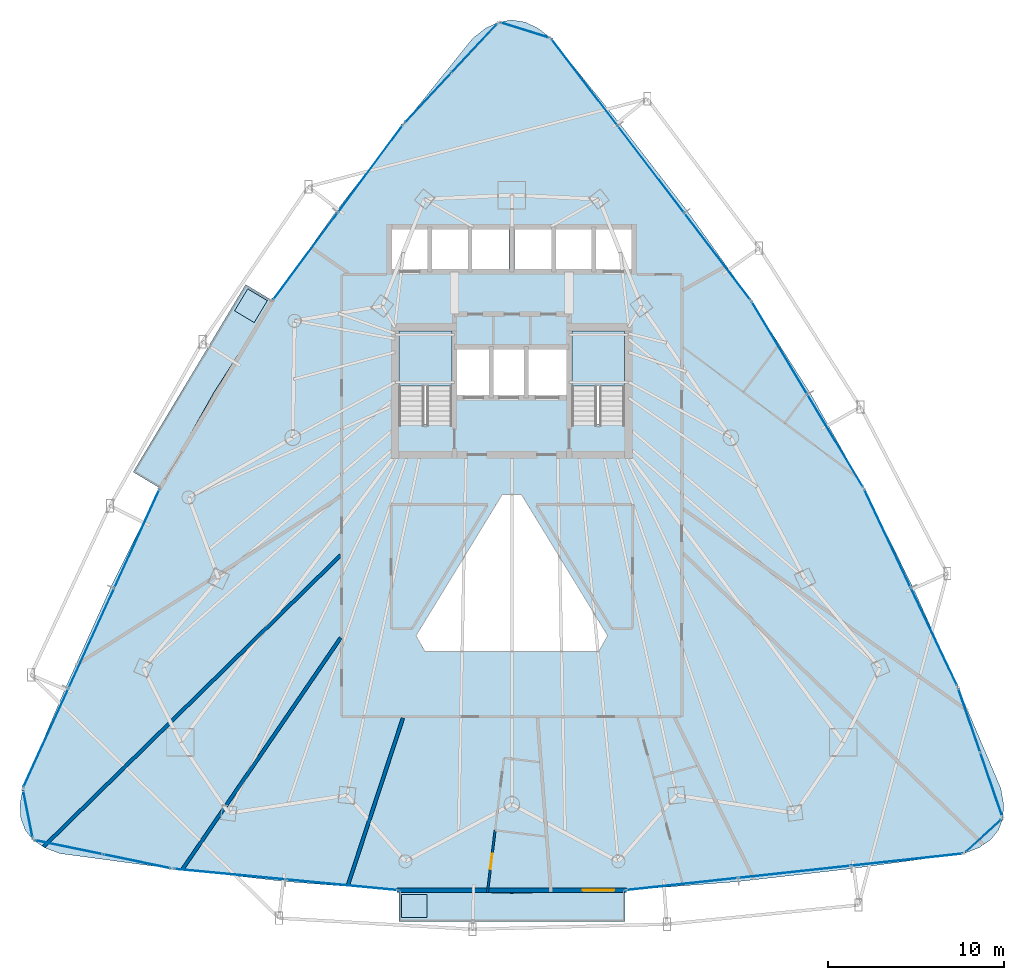
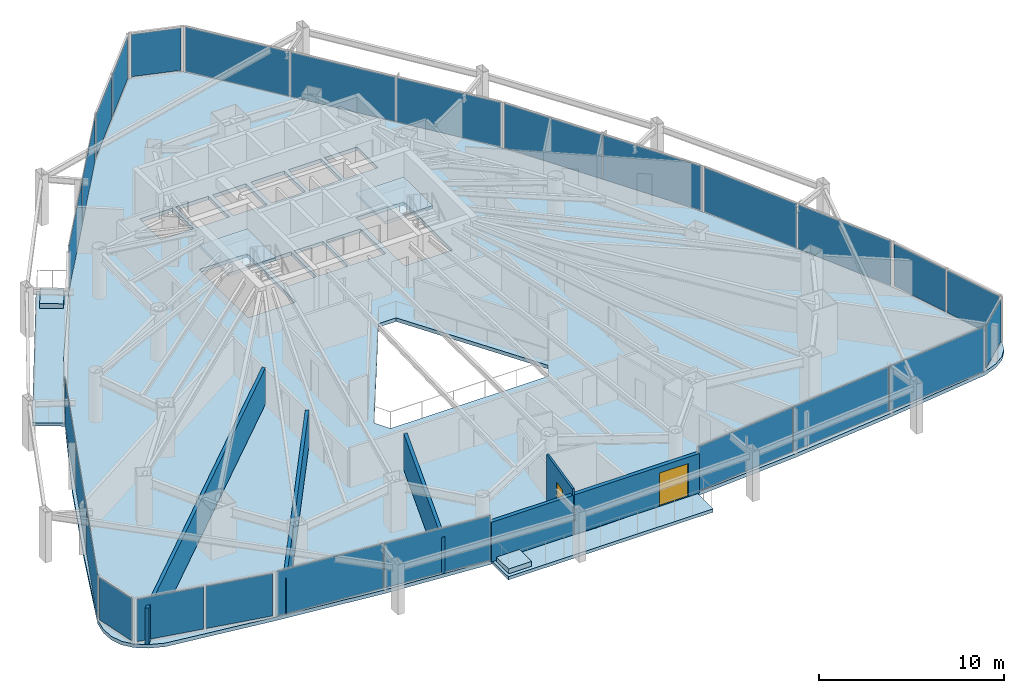
# One storey, part 28 of 34: 26 plates, 7 slabs, 5 walls, 2 doors, 2 openings, 15 elements without a shape of their own.
"""IFC4 building model written with IfcOpenShell, lengths in metres."""

from ifc_helpers import new_model, si_unit, direction, frame, frame_2d, origin, origin_2d, place, context, subcontext, project, spatial, polyline, rectangle, outline, extrude, material, layer, layer_set, type_object, element, fill, aggregate, save


model = new_model("IFC4")

# Units and contexts
model_context = context("Model", 3, precision=1e-05, world=origin(), true_north=direction((0.0, 1.0)))
body_context = subcontext(model_context, "Body", "Model", "MODEL_VIEW")
ifc_project = project(units=[si_unit("LENGTHUNIT", "METRE"), si_unit("AREAUNIT", "SQUARE_METRE"), si_unit("VOLUMEUNIT", "CUBIC_METRE"), si_unit("PLANEANGLEUNIT", "RADIAN"), si_unit("MASSUNIT", "GRAM", prefix="KILO")], contexts=[model_context])

# Site, building, storey
site_placement = place(None, origin())
site = spatial("IfcSite", under=ifc_project, at=site_placement, CompositionType="ELEMENT")
building_placement = place(site_placement, origin())
building = spatial("IfcBuilding", under=site, at=building_placement, Name="Orvanel Arch Residences", CompositionType="ELEMENT")
storey_placement = place(building_placement, frame((0.0, 0.0, 64.25)))
storey = spatial("IfcBuildingStorey", under=building, at=storey_placement, Name="L17", CompositionType="ELEMENT", Elevation=64.25)

# Curtain wall, plates
ifc_material_1 = material(Name="Bronze-anodised aluminium AA6063-T6", Category="aluminium")
ifc_layer_1 = layer(ifc_material_1, 0.179931640625)
ifc_layer_set_1 = layer_set([ifc_layer_1], Name="Bronze-anodised aluminium AA6063-T6")
curtain_wall_type_1 = type_object("IfcCurtainWallType", Name="CW2-LOW-SYS", PredefinedType="NOTDEFINED", material=ifc_layer_set_1)
curtain_wall_1_placement = place(storey_placement, origin())
curtain_wall_1 = element("IfcCurtainWall", 1, at=curtain_wall_1_placement, inside=storey, type_object=curtain_wall_type_1, Name="L17 CW2-LOW-SYS Unitised Curtain Wall", PredefinedType="NOTDEFINED")
ifc_material_2 = material(Name="Double-glazed solar-control low-E safety glass", Category="glass")
ifc_layer_2 = layer(ifc_material_2, 0.028076171875)
ifc_layer_set_2 = layer_set([ifc_layer_2], Name="Double-glazed solar-control low-E safety glass")
plate_type_1 = type_object("IfcPlateType", Name="PNL-GLZ-28", PredefinedType="CURTAIN_PANEL", material=ifc_layer_set_2)
plate_1_placement = place(storey_placement, frame((24.97900390625, 42.90234375, 0.06005859375), z_axis=(0.0, 0.0, 1.0), x_axis=(-0.596000950722, -0.802983727568, 0.0)))
plate_1 = element("IfcPlate", 2, at=plate_1_placement, type_object=plate_type_1, Name="CW-S2 panel 1.1", PredefinedType="CURTAIN_PANEL", context=body_context, shape_type="SweptSolid", body=[
    extrude(rectangle(XDim=6.108154296875, YDim=0.028076171875, at=origin_2d()), origin(), (0.0, 0.0, 1.0), 2.93994140625),
])
plate_2_placement = place(storey_placement, frame((21.296875, 37.941650390625, 0.06005859375), z_axis=(0.0, 0.0, 1.0), x_axis=(-0.596000950722, -0.802983727568, 0.0)))
plate_2 = element("IfcPlate", 3, at=plate_2_placement, type_object=plate_type_1, Name="CW-S2 panel 2.1", PredefinedType="CURTAIN_PANEL", context=body_context, shape_type="SweptSolid", body=[
    extrude(rectangle(XDim=6.108154296875, YDim=0.028076171875, at=origin_2d()), origin(), (0.0, 0.0, 1.0), 2.93994140625),
])
aggregate(curtain_wall_1, [plate_1, plate_2])

curtain_wall_2_placement = place(storey_placement, origin())
curtain_wall_2 = element("IfcCurtainWall", 4, at=curtain_wall_2_placement, inside=storey, type_object=curtain_wall_type_1, Name="L17 CW2-LOW-SYS Unitised Curtain Wall", PredefinedType="NOTDEFINED")
plate_3_placement = place(storey_placement, frame((11.73095703125, 21.910400390625, 0.06005859375), z_axis=(0.0, 0.0, 1.0), x_axis=(-0.415688938305, -0.909506848006, 0.0)))
plate_3 = element("IfcPlate", 5, at=plate_3_placement, type_object=plate_type_1, Name="CW-S2 panel 1.1", PredefinedType="CURTAIN_PANEL", context=body_context, shape_type="SweptSolid", body=[
    extrude(rectangle(XDim=6.1240234375, YDim=0.028076171875, at=origin_2d()), origin(), (0.0, 0.0, 1.0), 2.93994140625),
])
plate_4_placement = place(storey_placement, frame((9.14892578125, 16.260986328125, 0.06005859375), z_axis=(0.0, 0.0, 1.0), x_axis=(-0.415688938305, -0.909506848006, 0.0)))
plate_4 = element("IfcPlate", 6, at=plate_4_placement, type_object=plate_type_1, Name="CW-S2 panel 2.1", PredefinedType="CURTAIN_PANEL", context=body_context, shape_type="SweptSolid", body=[
    extrude(rectangle(XDim=6.158935546875, YDim=0.028076171875, at=origin_2d()), origin(), (0.0, 0.0, 1.0), 2.93994140625),
])
plate_5_placement = place(storey_placement, frame((6.56689453125, 10.611572265625, 0.06005859375), z_axis=(0.0, 0.0, 1.0), x_axis=(-0.415688938305, -0.909506848006, 0.0)))
plate_5 = element("IfcPlate", 7, at=plate_5_placement, type_object=plate_type_1, Name="CW-S2 panel 3.1", PredefinedType="CURTAIN_PANEL", context=body_context, shape_type="SweptSolid", body=[
    extrude(rectangle(XDim=6.1240234375, YDim=0.028076171875, at=origin_2d()), origin(), (0.0, 0.0, 1.0), 2.93994140625),
])
aggregate(curtain_wall_2, [plate_3, plate_4, plate_5])

curtain_wall_3_placement = place(storey_placement, origin())
curtain_wall_3 = element("IfcCurtainWall", 8, at=curtain_wall_3_placement, inside=storey, type_object=curtain_wall_type_1, Name="L17 CW2-LOW-SYS Unitised Curtain Wall", PredefinedType="NOTDEFINED")
plate_6_placement = place(storey_placement, frame((16.994873046875, 2.8798828125, 0.06005859375), z_axis=(0.0, 0.0, 1.0), x_axis=(0.995493372806, -0.094831137816, 0.0)))
plate_6 = element("IfcPlate", 9, at=plate_6_placement, type_object=plate_type_1, Name="CW-S2 panel 1.1", PredefinedType="CURTAIN_PANEL", context=body_context, shape_type="SweptSolid", body=[
    extrude(rectangle(XDim=6.31689453125, YDim=0.028076171875, at=origin_2d()), origin(), (0.0, 0.0, 1.0), 2.93994140625),
])
plate_7_placement = place(storey_placement, frame((23.35302734375, 2.274169921875, 0.06005859375), z_axis=(0.0, 0.0, 1.0), x_axis=(0.995493372806, -0.094831137816, 0.0)))
plate_7 = element("IfcPlate", 10, at=plate_7_placement, type_object=plate_type_1, Name="CW-S2 panel 2.1", PredefinedType="CURTAIN_PANEL", context=body_context, shape_type="SweptSolid", body=[
    extrude(rectangle(XDim=6.31689453125, YDim=0.028076171875, at=origin_2d()), origin(), (0.0, 0.0, 1.0), 2.93994140625),
])
aggregate(curtain_wall_3, [plate_6, plate_7])

curtain_wall_4_placement = place(storey_placement, origin())
curtain_wall_4 = element("IfcCurtainWall", 11, at=curtain_wall_4_placement, inside=storey, type_object=curtain_wall_type_1, Name="L17 CW2-LOW-SYS Unitised Curtain Wall", PredefinedType="NOTDEFINED")
plate_8_placement = place(storey_placement, frame((42.650146484375, 2.31689453125, 0.06005859375), z_axis=(0.0, 0.0, 1.0), x_axis=(0.994171399622, 0.107811076303, 0.0)))
plate_8 = element("IfcPlate", 12, at=plate_8_placement, type_object=plate_type_1, Name="CW-S2 panel 1.1", PredefinedType="CURTAIN_PANEL", context=body_context, shape_type="SweptSolid", body=[
    extrude(rectangle(XDim=6.332275390625, YDim=0.028076171875, at=origin_2d()), origin(), (0.0, 0.0, 1.0), 2.93994140625),
])
plate_9_placement = place(storey_placement, frame((49.032470703125, 3.009033203125, 0.06005859375), z_axis=(0.0, 0.0, 1.0), x_axis=(0.994171399622, 0.107811076303, 0.0)))
plate_9 = element("IfcPlate", 13, at=plate_9_placement, type_object=plate_type_1, Name="CW-S2 panel 2.1", PredefinedType="CURTAIN_PANEL", context=body_context, shape_type="SweptSolid", body=[
    extrude(rectangle(XDim=6.3671875, YDim=0.028076171875, at=origin_2d()), origin(), (0.0, 0.0, 1.0), 2.93994140625),
])
plate_10_placement = place(storey_placement, frame((55.414794921875, 3.701171875, 0.06005859375), z_axis=(0.0, 0.0, 1.0), x_axis=(0.994171399622, 0.107811076303, 0.0)))
plate_10 = element("IfcPlate", 14, at=plate_10_placement, type_object=plate_type_1, Name="CW-S2 panel 3.1", PredefinedType="CURTAIN_PANEL", context=body_context, shape_type="SweptSolid", body=[
    extrude(rectangle(XDim=6.332275390625, YDim=0.028076171875, at=origin_2d()), origin(), (0.0, 0.0, 1.0), 2.93994140625),
])
aggregate(curtain_wall_4, [plate_8, plate_9, plate_10])

curtain_wall_5_placement = place(storey_placement, origin())
curtain_wall_5 = element("IfcCurtainWall", 15, at=curtain_wall_5_placement, inside=storey, type_object=curtain_wall_type_1, Name="L17 CW2-LOW-SYS Unitised Curtain Wall", PredefinedType="NOTDEFINED")
plate_11_placement = place(storey_placement, frame((56.947509765625, 16.350830078125, 0.06005859375), z_axis=(0.0, 0.0, 1.0), x_axis=(-0.427795745036, 0.903875434189, 0.0)))
plate_11 = element("IfcPlate", 16, at=plate_11_placement, type_object=plate_type_1, Name="CW-S2 panel 1.1", PredefinedType="CURTAIN_PANEL", context=body_context, shape_type="SweptSolid", body=[
    extrude(rectangle(XDim=6.108154296875, YDim=0.028076171875, at=origin_2d()), origin(), (0.0, 0.0, 1.0), 2.93994140625),
])
plate_12_placement = place(storey_placement, frame((54.304443359375, 21.935302734375, 0.06005859375), z_axis=(0.0, 0.0, 1.0), x_axis=(-0.427795745036, 0.903875434189, 0.0)))
plate_12 = element("IfcPlate", 17, at=plate_12_placement, type_object=plate_type_1, Name="CW-S2 panel 2.1", PredefinedType="CURTAIN_PANEL", context=body_context, shape_type="SweptSolid", body=[
    extrude(rectangle(XDim=6.108154296875, YDim=0.028076171875, at=origin_2d()), origin(), (0.0, 0.0, 1.0), 2.93994140625),
])
aggregate(curtain_wall_5, [plate_11, plate_12])

curtain_wall_6_placement = place(storey_placement, origin())
curtain_wall_6 = element("IfcCurtainWall", 18, at=curtain_wall_6_placement, inside=storey, type_object=curtain_wall_type_1, Name="L17 CW2-LOW-SYS Unitised Curtain Wall", PredefinedType="NOTDEFINED")
plate_13_placement = place(storey_placement, frame((51.349609375, 27.46044921875, 0.06005859375), z_axis=(0.0, 0.0, 1.0), x_axis=(-0.514400628533, 0.857549994674, 0.0)))
plate_13 = element("IfcPlate", 19, at=plate_13_placement, type_object=plate_type_1, Name="CW-S2 panel 1.1", PredefinedType="CURTAIN_PANEL", context=body_context, shape_type="SweptSolid", body=[
    extrude(rectangle(XDim=6.078857421875, YDim=0.028076171875, at=origin_2d()), origin(), (0.0, 0.0, 1.0), 2.93994140625),
])
plate_14_placement = place(storey_placement, frame((48.1865234375, 32.7333984375, 0.06005859375), z_axis=(0.0, 0.0, 1.0), x_axis=(-0.514400628533, 0.857549994674, 0.0)))
plate_14 = element("IfcPlate", 20, at=plate_14_placement, type_object=plate_type_1, Name="CW-S2 panel 2.1", PredefinedType="CURTAIN_PANEL", context=body_context, shape_type="SweptSolid", body=[
    extrude(rectangle(XDim=6.078857421875, YDim=0.028076171875, at=origin_2d()), origin(), (0.0, 0.0, 1.0), 2.93994140625),
])
aggregate(curtain_wall_6, [plate_13, plate_14])

curtain_wall_7_placement = place(storey_placement, origin())
curtain_wall_7 = element("IfcCurtainWall", 21, at=curtain_wall_7_placement, inside=storey, type_object=curtain_wall_type_1, Name="L17 CW2-LOW-SYS Unitised Curtain Wall", PredefinedType="NOTDEFINED")
plate_15_placement = place(storey_placement, frame((44.664794921875, 37.922607421875, 0.06005859375), z_axis=(0.0, 0.0, 1.0), x_axis=(-0.606742733122, 0.794898267581, 0.0)))
plate_15 = element("IfcPlate", 22, at=plate_15_placement, type_object=plate_type_1, Name="CW-S2 panel 1.1", PredefinedType="CURTAIN_PANEL", context=body_context, shape_type="SweptSolid", body=[
    extrude(rectangle(XDim=6.123779296875, YDim=0.028076171875, at=origin_2d()), origin(), (0.0, 0.0, 1.0), 2.93994140625),
])
plate_16_placement = place(storey_placement, frame((40.89599609375, 42.860107421875, 0.06005859375), z_axis=(0.0, 0.0, 1.0), x_axis=(-0.606742733122, 0.794898267581, 0.0)))
plate_16 = element("IfcPlate", 23, at=plate_16_placement, type_object=plate_type_1, Name="CW-S2 panel 2.1", PredefinedType="CURTAIN_PANEL", context=body_context, shape_type="SweptSolid", body=[
    extrude(rectangle(XDim=6.158935546875, YDim=0.028076171875, at=origin_2d()), origin(), (0.0, 0.0, 1.0), 2.93994140625),
])
plate_17_placement = place(storey_placement, frame((37.127197265625, 47.79736328125, 0.06005859375), z_axis=(0.0, 0.0, 1.0), x_axis=(-0.606742733122, 0.794898267581, 0.0)))
plate_17 = element("IfcPlate", 24, at=plate_17_placement, type_object=plate_type_1, Name="CW-S2 panel 3.1", PredefinedType="CURTAIN_PANEL", context=body_context, shape_type="SweptSolid", body=[
    extrude(rectangle(XDim=6.123779296875, YDim=0.028076171875, at=origin_2d()), origin(), (0.0, 0.0, 1.0), 2.93994140625),
])
aggregate(curtain_wall_7, [plate_15, plate_16, plate_17])

# Curtain wall, plate
ifc_layer_3 = layer(ifc_material_1, 0.18994140625)
ifc_layer_set_3 = layer_set([ifc_layer_3], Name="Bronze-anodised aluminium AA6063-T6")
curtain_wall_type_2 = type_object("IfcCurtainWallType", Name="CW5-CRN-SYS", PredefinedType="NOTDEFINED", material=ifc_layer_set_3)
curtain_wall_8_placement = place(storey_placement, origin())
curtain_wall_8 = element("IfcCurtainWall", 25, at=curtain_wall_8_placement, inside=storey, type_object=curtain_wall_type_2, Name="L17 CW5-CRN-SYS Unitised Curtain Wall", PredefinedType="NOTDEFINED")
ifc_layer_4 = layer(ifc_material_2, 0.031982421875)
ifc_layer_set_4 = layer_set([ifc_layer_4], Name="Double-glazed solar-control low-E safety glass")
plate_type_2 = type_object("IfcPlateType", Name="PNL-GLZ-32", PredefinedType="CURTAIN_PANEL", material=ifc_layer_set_4)
plate_18_placement = place(storey_placement, frame((33.738525390625, 50.762451171875, 0.1298828125), z_axis=(0.0, 0.0, 1.0), x_axis=(-0.954846451837, 0.297099736477, 0.0)))
plate_18 = element("IfcPlate", 26, at=plate_18_placement, type_object=plate_type_2, Name="CW-S5 panel 1.1", PredefinedType="CURTAIN_PANEL", context=body_context, shape_type="SweptSolid", body=[
    extrude(rectangle(XDim=2.7529296875, YDim=0.031982421875, at=origin_2d()), origin(), (0.0, 0.0, 1.0), 2.800048828125),
])
aggregate(curtain_wall_8, [plate_18])

# Curtain wall, plates
curtain_wall_9_placement = place(storey_placement, origin())
curtain_wall_9 = element("IfcCurtainWall", 27, at=curtain_wall_9_placement, inside=storey, type_object=curtain_wall_type_2, Name="L17 CW5-CRN-SYS Unitised Curtain Wall", PredefinedType="NOTDEFINED")
plate_19_placement = place(storey_placement, frame((30.877197265625, 49.73828125, 0.1298828125), z_axis=(0.0, 0.0, 1.0), x_axis=(-0.682340840105, -0.731034183828, 0.0)))
plate_19 = element("IfcPlate", 28, at=plate_19_placement, type_object=plate_type_2, Name="CW-S5 panel 1.1", PredefinedType="CURTAIN_PANEL", context=body_context, shape_type="SweptSolid", body=[
    extrude(rectangle(XDim=3.718017578125, YDim=0.031982421875, at=origin_2d()), origin(), (0.0, 0.0, 1.0), 2.800048828125),
])
plate_20_placement = place(storey_placement, frame((28.23779296875, 46.91064453125, 0.1298828125), z_axis=(0.0, 0.0, 1.0), x_axis=(-0.682340840105, -0.731034183828, 0.0)))
plate_20 = element("IfcPlate", 29, at=plate_20_placement, type_object=plate_type_2, Name="CW-S5 panel 2.1", PredefinedType="CURTAIN_PANEL", context=body_context, shape_type="SweptSolid", body=[
    extrude(rectangle(XDim=3.718017578125, YDim=0.031982421875, at=origin_2d()), origin(), (0.0, 0.0, 1.0), 2.800048828125),
])
aggregate(curtain_wall_9, [plate_19, plate_20])

# Curtain wall, plate
curtain_wall_10_placement = place(storey_placement, origin())
curtain_wall_10 = element("IfcCurtainWall", 30, at=curtain_wall_10_placement, inside=storey, type_object=curtain_wall_type_2, Name="L17 CW5-CRN-SYS Unitised Curtain Wall", PredefinedType="NOTDEFINED")
plate_21_placement = place(storey_placement, frame((5.548583984375, 6.284423828125, 0.1298828125), z_axis=(0.0, 0.0, 1.0), x_axis=(0.195723363495, -0.980659148217, 0.0)))
plate_21 = element("IfcPlate", 31, at=plate_21_placement, type_object=plate_type_2, Name="CW-S5 panel 1.1", PredefinedType="CURTAIN_PANEL", context=body_context, shape_type="SweptSolid", body=[
    extrude(rectangle(XDim=2.637939453125, YDim=0.031982421875, at=origin_2d()), origin(), (0.0, 0.0, 1.0), 2.800048828125),
])
aggregate(curtain_wall_10, [plate_21])

# Curtain wall, plates
curtain_wall_11_placement = place(storey_placement, origin())
curtain_wall_11 = element("IfcCurtainWall", 32, at=curtain_wall_11_placement, inside=storey, type_object=curtain_wall_type_2, Name="L17 CW5-CRN-SYS Unitised Curtain Wall", PredefinedType="NOTDEFINED")
plate_22_placement = place(storey_placement, frame((7.866943359375, 4.405517578125, 0.1298828125), z_axis=(0.0, 0.0, 1.0), x_axis=(0.979323283522, -0.202301523353, 0.0)))
plate_22 = element("IfcPlate", 33, at=plate_22_placement, type_object=plate_type_2, Name="CW-S5 panel 1.1", PredefinedType="CURTAIN_PANEL", context=body_context, shape_type="SweptSolid", body=[
    extrude(rectangle(XDim=3.798583984375, YDim=0.031982421875, at=origin_2d()), origin(), (0.0, 0.0, 1.0), 2.800048828125),
])
plate_23_placement = place(storey_placement, frame((11.734130859375, 3.606689453125, 0.1298828125), z_axis=(0.0, 0.0, 1.0), x_axis=(0.979323283522, -0.202301523353, 0.0)))
plate_23 = element("IfcPlate", 34, at=plate_23_placement, type_object=plate_type_2, Name="CW-S5 panel 2.1", PredefinedType="CURTAIN_PANEL", context=body_context, shape_type="SweptSolid", body=[
    extrude(rectangle(XDim=3.798583984375, YDim=0.031982421875, at=origin_2d()), origin(), (0.0, 0.0, 1.0), 2.800048828125),
])
aggregate(curtain_wall_11, [plate_22, plate_23])

# Curtain wall, plate
curtain_wall_12_placement = place(storey_placement, origin())
curtain_wall_12 = element("IfcCurtainWall", 35, at=curtain_wall_12_placement, inside=storey, type_object=curtain_wall_type_2, Name="L17 CW5-CRN-SYS Unitised Curtain Wall", PredefinedType="NOTDEFINED")
plate_24_placement = place(storey_placement, frame((59.75439453125, 5.053466796875, 0.1298828125), z_axis=(0.0, 0.0, 1.0), x_axis=(0.73998625585, 0.672621989793, 0.0)))
plate_24 = element("IfcPlate", 36, at=plate_24_placement, type_object=plate_type_2, Name="CW-S5 panel 1.1", PredefinedType="CURTAIN_PANEL", context=body_context, shape_type="SweptSolid", body=[
    extrude(rectangle(XDim=2.63916015625, YDim=0.031982421875, at=origin_2d()), origin(), (0.0, 0.0, 1.0), 2.800048828125),
])
aggregate(curtain_wall_12, [plate_24])

# Curtain wall, plates
curtain_wall_13_placement = place(storey_placement, origin())
curtain_wall_13 = element("IfcCurtainWall", 37, at=curtain_wall_13_placement, inside=storey, type_object=curtain_wall_type_2, Name="L17 CW5-CRN-SYS Unitised Curtain Wall", PredefinedType="NOTDEFINED")
plate_25_placement = place(storey_placement, frame((60.2001953125, 7.96337890625, 0.1298828125), z_axis=(0.0, 0.0, 1.0), x_axis=(-0.325165297425, 0.945657194416, 0.0)))
plate_25 = element("IfcPlate", 38, at=plate_25_placement, type_object=plate_type_2, Name="CW-S5 panel 1.1", PredefinedType="CURTAIN_PANEL", context=body_context, shape_type="SweptSolid", body=[
    extrude(rectangle(XDim=3.696044921875, YDim=0.031982421875, at=origin_2d()), origin(), (0.0, 0.0, 1.0), 2.800048828125),
])
plate_26_placement = place(storey_placement, frame((58.94970703125, 11.6005859375, 0.1298828125), z_axis=(0.0, 0.0, 1.0), x_axis=(-0.325165297425, 0.945657194416, 0.0)))
plate_26 = element("IfcPlate", 39, at=plate_26_placement, type_object=plate_type_2, Name="CW-S5 panel 2.1", PredefinedType="CURTAIN_PANEL", context=body_context, shape_type="SweptSolid", body=[
    extrude(rectangle(XDim=3.696044921875, YDim=0.031982421875, at=origin_2d()), origin(), (0.0, 0.0, 1.0), 2.800048828125),
])
aggregate(curtain_wall_13, [plate_25, plate_26])

# Slabs
ifc_material_3 = material(Name="Concrete N40 (40 MPa)", Category="concrete")
ifc_layer_5 = layer(ifc_material_3, 0.215087890625)
ifc_layer_set_5 = layer_set([ifc_layer_5], Name="Concrete N40 (40 MPa)")
slab_type_1 = type_object("IfcSlabType", Name="SLB-BAL-215", PredefinedType="FLOOR", material=ifc_layer_set_5)
slab_1_placement = place(storey_placement, frame((0.0, 0.0, -0.215087890625)))
element("IfcSlab", 40, at=slab_1_placement, inside=storey, type_object=slab_type_1, Name="L17 Cantilevered Balcony Slab Face 1", PredefinedType="FLOOR", context=body_context, shape_type="SweptSolid", body=[
    extrude(outline(polyline([(17.89697265625, 36.33203125), (11.514892578125, 25.693115234375), (13.041015625, 24.777099609375), (16.0849609375, 30.18505859375), (19.423095703125, 35.4169921875), (17.89697265625, 36.33203125)])), origin(), (0.0, 0.0, 1.0), 0.215087890625),
])
slab_2_placement = place(storey_placement, frame((0.0, 0.0, -0.215087890625)))
element("IfcSlab", 41, at=slab_2_placement, inside=storey, type_object=slab_type_1, Name="L17 Cantilevered Balcony Slab Face 2", PredefinedType="FLOOR", context=body_context, shape_type="SweptSolid", body=[
    extrude(outline(polyline([(26.5869140625, 0.18603515625), (39.4130859375, 0.18603515625), (39.4130859375, 1.966064453125), (33.0, 1.7939453125), (26.5869140625, 1.966064453125), (26.5869140625, 0.18603515625)])), origin(), (0.0, 0.0, 1.0), 0.215087890625),
])

# Stair, slab
ifc_material_4 = material(Name="Precast concrete N50 (50 MPa)", Category="concrete")
stair_type = type_object("IfcStairType", Name="STR-DOG-184", PredefinedType="USERDEFINED", material=ifc_material_4)
stair_1_placement = place(storey_placement, origin())
stair_1 = element("IfcStair", 42, at=stair_1_placement, inside=storey, type_object=stair_type, Name="L17 Fire-Isolated Core Exit Stair 1", ObjectType="TWO_RETURN_STAIR", PredefinedType="USERDEFINED")
ifc_layer_6 = layer(ifc_material_3, 0.199951171875)
ifc_layer_set_6 = layer_set([ifc_layer_6], Name="Concrete N40 (40 MPa)")
slab_type_2 = type_object("IfcSlabType", Name="SLB-LND-200", PredefinedType="LANDING", material=ifc_layer_set_6)
slab_3_placement = place(storey_placement, frame((0.0, 0.0, 1.449951171875)))
slab_3 = element("IfcSlab", 43, at=slab_3_placement, type_object=slab_type_2, Name="ST-1 landing 1", PredefinedType="LANDING", context=body_context, shape_type="SweptSolid", body=[
    extrude(outline(polyline([(29.60009765625, 30.56005859375), (29.60009765625, 33.699951171875), (26.60009765625, 33.699951171875), (26.60009765625, 30.56005859375), (29.60009765625, 30.56005859375)])), origin(), (0.0, 0.0, 1.0), 0.199951171875),
])
aggregate(stair_1, [slab_3])

stair_2_placement = place(storey_placement, origin())
stair_2 = element("IfcStair", 44, at=stair_2_placement, inside=storey, type_object=stair_type, Name="L17 Fire-Isolated Core Exit Stair 2", ObjectType="TWO_RETURN_STAIR", PredefinedType="USERDEFINED")
slab_4_placement = place(storey_placement, frame((0.0, 0.0, 1.449951171875)))
slab_4 = element("IfcSlab", 45, at=slab_4_placement, type_object=slab_type_2, Name="ST-2 landing 1", PredefinedType="LANDING", context=body_context, shape_type="SweptSolid", body=[
    extrude(outline(polyline([(39.39990234375, 30.56005859375), (39.39990234375, 33.699951171875), (36.39990234375, 33.699951171875), (36.39990234375, 30.56005859375), (39.39990234375, 30.56005859375)])), origin(), (0.0, 0.0, 1.0), 0.199951171875),
])
aggregate(stair_2, [slab_4])

# Slabs
ifc_material_5 = material(Name="Structural architectural precast concrete N40 (40 MPa) planter", Category="concrete")
ifc_layer_7 = layer(ifc_material_5, 0.320068359375)
ifc_layer_set_7 = layer_set([ifc_layer_7], Name="Structural architectural precast concrete N40 (40 MPa) planter")
slab_type_3 = type_object("IfcSlabType", Name="SLB-PLN-320", PredefinedType="USERDEFINED", material=ifc_layer_set_7)
slab_5_placement = place(storey_placement, origin())
element("IfcSlab", 46, at=slab_5_placement, inside=storey, type_object=slab_type_3, Name="L17 Balcony TREE PLANTER Face 1", ObjectType="PLANTER", PredefinedType="USERDEFINED", context=body_context, shape_type="SweptSolid", body=[
    extrude(outline(polyline([(18.01708984375, 36.0849609375), (17.27099609375, 34.842041015625), (18.385986328125, 34.173095703125), (19.131103515625, 35.4169921875), (18.01708984375, 36.0849609375)])), origin(), (0.0, 0.0, 1.0), 0.320068359375),
])
slab_6_placement = place(storey_placement, origin())
element("IfcSlab", 47, at=slab_6_placement, inside=storey, type_object=slab_type_3, Name="L17 Balcony TREE PLANTER Face 2", ObjectType="PLANTER", PredefinedType="USERDEFINED", context=body_context, shape_type="SweptSolid", body=[
    extrude(outline(polyline([(26.737060546875, 0.416015625), (28.18701171875, 0.416015625), (28.18701171875, 1.716064453125), (26.737060546875, 1.716064453125), (26.737060546875, 0.416015625)])), origin(), (0.0, 0.0, 1.0), 0.320068359375),
])
ifc_layer_8 = layer(ifc_material_3, 0.239990234375)
ifc_layer_set_8 = layer_set([ifc_layer_8], Name="Concrete N40 (40 MPa)")
slab_type_4 = type_object("IfcSlabType", Name="SLB-TYP-240", PredefinedType="FLOOR", material=ifc_layer_set_8)
slab_7_placement = place(storey_placement, frame((0.0, 0.0, -0.239990234375)))
element("IfcSlab", 48, at=slab_7_placement, inside=storey, type_object=slab_type_4, Name="L17 Tower Floor Slab", PredefinedType="FLOOR", context=body_context, shape_type="SweptSolid", body=[
    extrude(outline(polyline([(35.215087890625, 50.302978515625), (34.47705078125, 50.876953125), (33.738037109375, 51.221923828125), (33.0, 51.3369140625), (32.261962890625, 51.221923828125), (31.52294921875, 50.876953125), (30.784912109375, 50.302978515625), (26.85302734375, 45.427001953125), (23.033935546875, 40.48388671875), (19.423095703125, 35.4169921875), (16.0849609375, 30.18505859375), (13.041015625, 24.777099609375), (10.27001953125, 19.2060546875), (7.70703125, 13.509033203125), (5.257080078125, 7.7451171875), (5.097900390625, 6.842041015625), (5.14306640625, 6.054931640625), (5.389892578125, 5.382080078125), (5.840087890625, 4.823974609375), (6.491943359375, 4.381103515625), (7.347900390625, 4.052001953125), (13.760986328125, 3.18798828125), (20.174072265625, 2.4560546875), (26.5869140625, 1.966064453125), (33.0, 1.7939453125), (39.4130859375, 1.966064453125), (45.825927734375, 2.4560546875), (52.239013671875, 3.18798828125), (58.652099609375, 4.052001953125), (59.508056640625, 4.381103515625), (60.159912109375, 4.823974609375), (60.610107421875, 5.382080078125), (60.85693359375, 6.054931640625), (60.902099609375, 6.842041015625), (60.742919921875, 7.7451171875), (58.29296875, 13.509033203125), (55.72998046875, 19.2060546875), (52.958984375, 24.777099609375), (49.9150390625, 30.18505859375), (46.576904296875, 35.4169921875), (42.966064453125, 40.48388671875), (39.14697265625, 45.427001953125), (35.215087890625, 50.302978515625)]), holes=[polyline([(26.60009765625, 28.429931640625), (26.60009765625, 33.699951171875), (29.60009765625, 33.699951171875), (29.60009765625, 28.429931640625), (26.60009765625, 28.429931640625)]), polyline([(36.39990234375, 28.429931640625), (36.39990234375, 33.699951171875), (39.39990234375, 33.699951171875), (39.39990234375, 28.429931640625), (36.39990234375, 28.429931640625)]), polyline([(29.89990234375, 32.64990234375), (31.75, 32.64990234375), (31.75, 29.949951171875), (29.89990234375, 29.949951171875), (29.89990234375, 32.64990234375)]), polyline([(31.89990234375, 32.64990234375), (33.75, 32.64990234375), (33.75, 29.949951171875), (31.89990234375, 29.949951171875), (31.89990234375, 32.64990234375)]), polyline([(33.89990234375, 32.64990234375), (36.10009765625, 32.64990234375), (36.10009765625, 29.949951171875), (33.89990234375, 29.949951171875), (33.89990234375, 32.64990234375)]), polyline([(26.199951171875, 39.449951171875), (28.25, 39.449951171875), (28.25, 37.199951171875), (26.199951171875, 37.199951171875), (26.199951171875, 39.449951171875)]), polyline([(37.75, 39.449951171875), (39.800048828125, 39.449951171875), (39.800048828125, 37.199951171875), (37.75, 37.199951171875), (37.75, 39.449951171875)]), polyline([(28.449951171875, 39.449951171875), (30.5, 39.449951171875), (30.5, 37.199951171875), (28.449951171875, 37.199951171875), (28.449951171875, 39.449951171875)]), polyline([(35.5, 39.449951171875), (37.550048828125, 39.449951171875), (37.550048828125, 37.199951171875), (35.5, 37.199951171875), (35.5, 39.449951171875)]), polyline([(30.75, 39.449951171875), (32.85009765625, 39.449951171875), (32.85009765625, 37.199951171875), (30.75, 37.199951171875), (30.75, 39.449951171875)]), polyline([(33.14990234375, 39.449951171875), (35.25, 39.449951171875), (35.25, 37.199951171875), (33.14990234375, 37.199951171875), (33.14990234375, 39.449951171875)]), polyline([(38.43994140625, 16.4130859375), (37.93505859375, 15.510986328125), (28.06494140625, 15.510986328125), (27.56005859375, 16.4130859375), (32.448974609375, 24.409912109375), (33.551025390625, 24.409912109375), (38.43994140625, 16.4130859375)])]), origin(), (0.0, 0.0, 1.0), 0.239990234375),
])

# Wall, opening, door
ifc_layer_9 = layer(ifc_material_4, 0.239990234375)
ifc_layer_set_9 = layer_set([ifc_layer_9], Name="Precast concrete N50 (50 MPa)")
wall_type_1 = type_object("IfcWallType", Name="EW-BAL-240", PredefinedType="SOLIDWALL", material=ifc_layer_set_9)
wall_1_placement = place(storey_placement, frame((26.489013671875, 1.966064453125, 0.0), z_axis=(0.0, 0.0, 1.0), x_axis=(1.0, 0.0, 0.0)))
wall_1 = element("IfcWall", 49, at=wall_1_placement, inside=storey, type_object=wall_type_1, Name="L17 Balcony Threshold Wall Face 2", PredefinedType="SOLIDWALL", context=body_context, shape_type="SweptSolid", body=[
    extrude(rectangle(XDim=13.02197265625, YDim=0.239990234375, at=frame_2d((6.510986328125, 0.0))), origin(), (0.0, 0.0, 1.0), 2.6240234375),
])
opening_1_placement = place(wall_1_placement, frame((10.52392578125, 0.0, 0.0)))
opening_1 = element("IfcOpeningElement", 50, at=opening_1_placement, cuts=wall_1, Name="Opening DB-180", PredefinedType="OPENING", context=body_context, shape_type="SweptSolid", body=[
    extrude(rectangle(XDim=1.800048828125, YDim=2.199951171875, at=frame_2d((0.89990234375, 1.10009765625))), frame((0.0, 0.1298828125, 0.0), z_axis=(0.0, -1.0, 0.0), x_axis=(1.0, 0.0, 0.0)), (0.0, 0.0, 1.0), 0.260009765625),
])
door_type_1 = type_object("IfcDoorType", Name="DR-BAL-1800", OperationType="NOTDEFINED", PredefinedType="DOOR", material=ifc_material_1)
door_1_placement = place(opening_1_placement, origin())
door_1 = element("IfcDoor", 51, at=door_1_placement, inside=storey, type_object=door_type_1, Name="DR-L17-BAL-F2 L17 Planted Balcony Access Door Face 2", OperationType="SINGLE_SWING_RIGHT", OverallHeight=2.199951171875, OverallWidth=1.800048828125, PredefinedType="DOOR", context=body_context, shape_type="SweptSolid", body=[
    extrude(rectangle(XDim=1.800048828125, YDim=2.199951171875, at=frame_2d((0.89990234375, 1.10009765625))), frame((0.0, 0.02490234375, 0.0), z_axis=(0.0, -1.0, 0.0), x_axis=(1.0, 0.0, 0.0)), (0.0, 0.0, 1.0), 0.050048828125),
])
fill(opening_1, door_1)

# Walls
ifc_material_6 = material(Name="Fire-rated plasterboard lined steel stud partition", Category="steel")
ifc_layer_10 = layer(ifc_material_6, 0.199951171875)
ifc_layer_set_10 = layer_set([ifc_layer_10], Name="Fire-rated plasterboard lined steel stud partition")
wall_type_2 = type_object("IfcWallType", Name="W-DEM-200", PredefinedType="PARTITIONING", material=ifc_layer_set_10)
wall_2_placement = place(storey_placement, frame((23.2900390625, 20.972900390625, 0.0), z_axis=(0.0, 0.0, 1.0), x_axis=(-0.713831483248, -0.70031750908, 0.0)))
element("IfcWall", 52, at=wall_2_placement, inside=storey, type_object=wall_type_2, Name="L17 Inter-Tenancy Acoustic Demising Wall", PredefinedType="PARTITIONING", context=body_context, shape_type="SweptSolid", body=[
    extrude(rectangle(XDim=23.612060546875, YDim=0.199951171875, at=frame_2d((11.80615234375, 0.0))), origin(), (0.0, 0.0, 1.0), 2.4130859375),
])
wall_3_placement = place(storey_placement, frame((23.2900390625, 16.291015625, 0.0), z_axis=(0.0, 0.0, 1.0), x_axis=(-0.564210182678, -0.825631194761, 0.0)))
element("IfcWall", 53, at=wall_3_placement, inside=storey, type_object=wall_type_2, Name="L17 Inter-Tenancy Acoustic Demising Wall", PredefinedType="PARTITIONING", context=body_context, shape_type="SweptSolid", body=[
    extrude(rectangle(XDim=15.928466796875, YDim=0.199951171875, at=frame_2d((7.96435546875, 0.0))), origin(), (0.0, 0.0, 1.0), 2.4130859375),
])
wall_4_placement = place(storey_placement, frame((23.68408203125, 2.201904296875, 0.0), z_axis=(0.0, 0.0, 1.0), x_axis=(0.31268804242, 0.949855877556, 0.0)))
element("IfcWall", 54, at=wall_4_placement, inside=storey, type_object=wall_type_2, Name="L17 Inter-Tenancy Acoustic Demising Wall", PredefinedType="PARTITIONING", context=body_context, shape_type="SweptSolid", body=[
    extrude(rectangle(XDim=10.04150390625, YDim=0.199951171875, at=frame_2d((5.020751953125, 0.0))), origin(), (0.0, 0.0, 1.0), 2.4130859375),
])

# Wall, opening, door
ifc_material_7 = material(Name="Acoustic plasterboard lined twin-stud partition", Category="gypsum")
ifc_layer_11 = layer(ifc_material_7, 0.1201171875)
ifc_layer_set_11 = layer_set([ifc_layer_11], Name="Acoustic plasterboard lined twin-stud partition")
wall_type_3 = type_object("IfcWallType", Name="W-WET-120", PredefinedType="PARTITIONING", material=ifc_layer_set_11)
wall_5_placement = place(storey_placement, frame((32.051025390625, 5.368896484375, 0.0), z_axis=(0.0, 0.0, 1.0), x_axis=(-0.122290707402, -0.992494323854, 0.0)))
wall_5 = element("IfcWall", 55, at=wall_5_placement, inside=storey, type_object=wall_type_3, Name="L17 Studio G Internal Partition", PredefinedType="PARTITIONING", context=body_context, shape_type="SweptSolid", body=[
    extrude(rectangle(XDim=3.549560546875, YDim=0.1201171875, at=frame_2d((1.77490234375, 0.0))), origin(), (0.0, 0.0, 1.0), 3.06005859375),
])
opening_2_placement = place(wall_5_placement, frame((1.3349609375, 0.0, 0.0)))
opening_2 = element("IfcOpeningElement", 56, at=opening_2_placement, cuts=wall_5, Name="Opening DI-088", PredefinedType="OPENING", context=body_context, shape_type="SweptSolid", body=[
    extrude(rectangle(XDim=0.8798828125, YDim=2.10009765625, at=frame_2d((0.43994140625, 1.050048828125))), frame((0.0, 0.070068359375, 0.0), z_axis=(0.0, -1.0, 0.0), x_axis=(1.0, 0.0, 0.0)), (0.0, 0.0, 1.0), 0.14013671875),
])
ifc_material_8 = material(Name="Solid-core European oak veneer fire door leaf", Category="wood")
door_type_2 = type_object("IfcDoorType", Name="DR-INT-880", OperationType="NOTDEFINED", PredefinedType="DOOR", material=ifc_material_8)
door_2_placement = place(opening_2_placement, origin())
door_2 = element("IfcDoor", 57, at=door_2_placement, inside=storey, type_object=door_type_2, Name="DR-L17-G-KIT L17 Studio G Kitchenette Door", OperationType="SINGLE_SWING_LEFT", OverallHeight=2.10009765625, OverallWidth=0.8798828125, PredefinedType="DOOR", context=body_context, shape_type="SweptSolid", body=[
    extrude(rectangle(XDim=0.8798828125, YDim=2.10009765625, at=frame_2d((0.43994140625, 1.050048828125))), frame((0.0, 0.02490234375, 0.0), z_axis=(0.0, -1.0, 0.0), x_axis=(1.0, 0.0, 0.0)), (0.0, 0.0, 1.0), 0.050048828125),
])
fill(opening_2, door_2)

save(model, "model.ifc")
